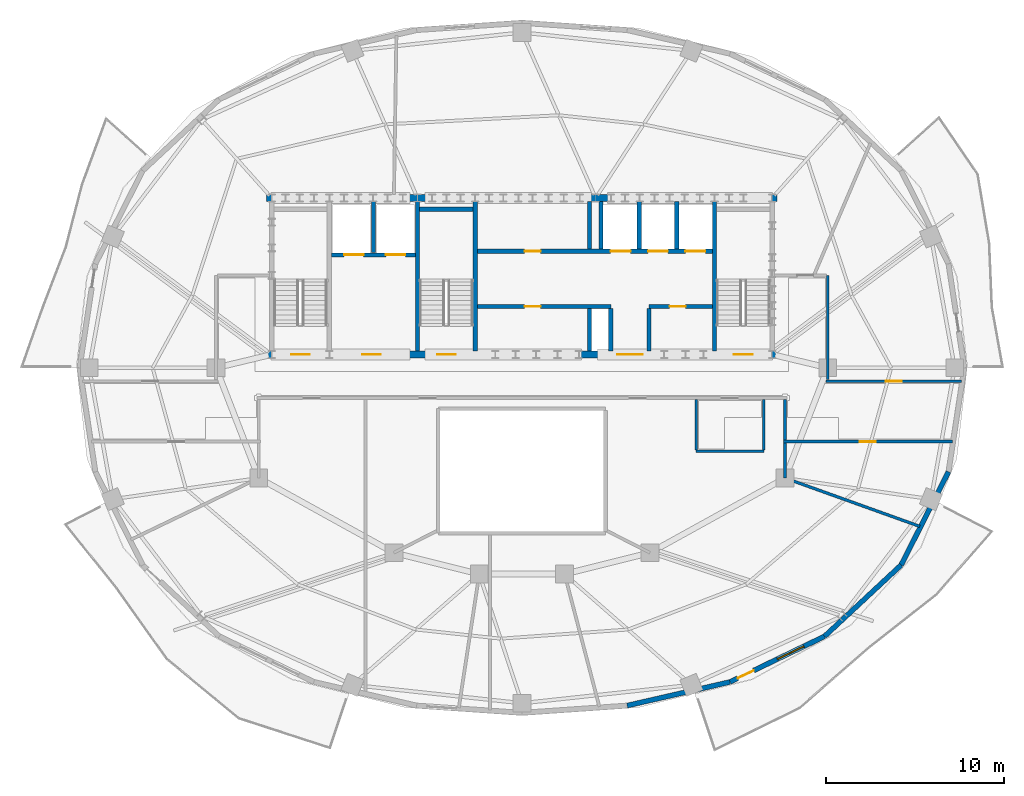
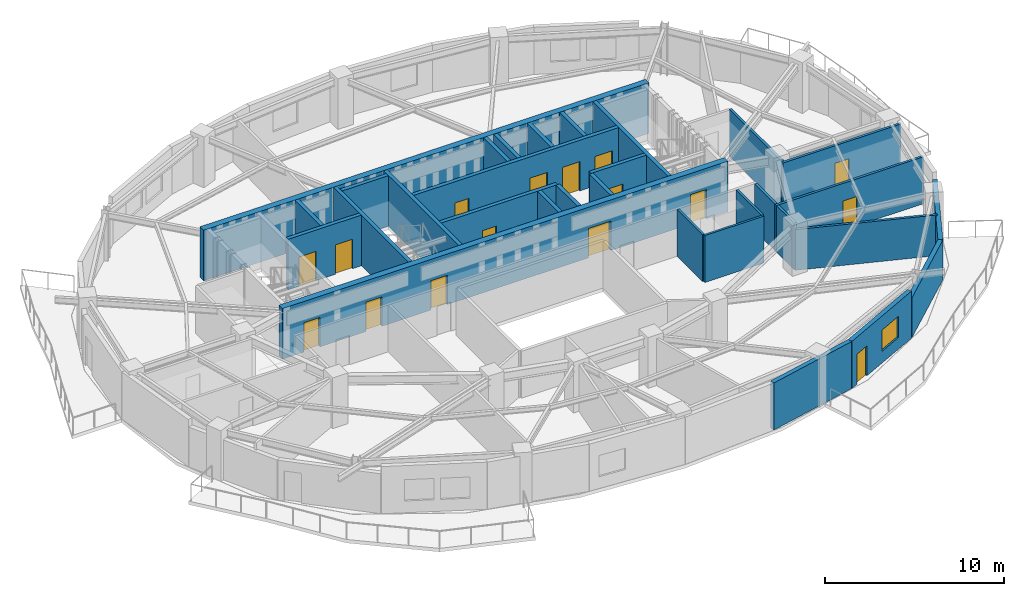
# One storey, part 4 of 9: 31 walls, 16 doors, 1 window, 17 openings.
"""IFC4 building model written with IfcOpenShell, lengths in metres."""

from ifc_helpers import new_model, si_unit, direction, frame, frame_2d, origin, place, context, subcontext, project, spatial, rectangle, extrude, material, layer, layer_set, type_object, element, fill, save


model = new_model("IFC4")

# Units and contexts
model_context = context("Model", 3, precision=1e-05, world=origin(), true_north=direction((0.0, 1.0)))
body_context = subcontext(model_context, "Body", "Model", "MODEL_VIEW")
ifc_project = project(units=[si_unit("LENGTHUNIT", "METRE"), si_unit("AREAUNIT", "SQUARE_METRE"), si_unit("VOLUMEUNIT", "CUBIC_METRE"), si_unit("PLANEANGLEUNIT", "RADIAN"), si_unit("MASSUNIT", "GRAM", prefix="KILO")], contexts=[model_context])

# Site, building, storey
site_placement = place(None, origin())
site = spatial("IfcSite", under=ifc_project, at=site_placement, CompositionType="ELEMENT")
building_placement = place(site_placement, origin())
building = spatial("IfcBuilding", under=site, at=building_placement, Name="Haldorwick Loom Tower", CompositionType="ELEMENT")
storey_placement = place(building_placement, frame((0.0, 0.0, 252.300048828125)))
storey = spatial("IfcBuildingStorey", under=building, at=storey_placement, Name="L68", CompositionType="ELEMENT", Elevation=252.300048828125)

# Wall
ifc_material_1 = material(Name="Pressed Clay Face Brick and Insulated Masonry Backup Assembly", Category="masonry")
ifc_layer_1 = layer(ifc_material_1, 0.280029296875, Name="Pressed Clay Face Brick and Insulated Masonry Backup Assembly", Category="masonry")
ifc_layer_set_1 = layer_set([ifc_layer_1], Name="Pressed Clay Face Brick and Insulated Masonry Backup Assembly")
wall_type_1 = type_object("IfcWallType", Name="ARC-WL-EXT280", PredefinedType="STANDARD", material=ifc_layer_set_1)
wall_1_placement = place(storey_placement, frame((41.91943359375, 7.006103515625, 0.0), z_axis=(0.0, 0.0, 1.0), x_axis=(0.974589984037, 0.223996345987, 0.0)))
element("IfcWall", 1, at=wall_1_placement, inside=storey, type_object=wall_type_1, Name="L68 Brick Pier and Spandrel Wall 20", PredefinedType="STANDARD", context=body_context, shape_type="SweptSolid", body=[
    extrude(rectangle(XDim=5.92919921875, YDim=0.280029296875, at=frame_2d((2.964599609375, 0.0))), origin(), (0.0, 0.0, 1.0), 3.2099609375),
])

# Wall, openings, door, window
wall_2_placement = place(storey_placement, frame((47.697998046875, 8.334228515625, 0.0), z_axis=(0.0, 0.0, 1.0), x_axis=(0.900481907967, 0.434893473651, 0.0)))
wall_2 = element("IfcWall", 2, at=wall_2_placement, inside=storey, type_object=wall_type_1, Name="L68 Brick Pier and Spandrel Wall 21", PredefinedType="STANDARD", context=body_context, shape_type="SweptSolid", body=[
    extrude(rectangle(XDim=5.90966796875, YDim=0.280029296875, at=frame_2d((2.954833984375, 0.0))), origin(), (0.0, 0.0, 1.0), 3.2099609375),
])
opening_1_placement = place(wall_2_placement, frame((0.486083984375, 0.0, 0.0)))
opening_1 = element("IfcOpeningElement", 3, at=opening_1_placement, cuts=wall_2, Name="Opening D-BL10", PredefinedType="OPENING", context=body_context, shape_type="SweptSolid", body=[
    extrude(rectangle(XDim=1.0, YDim=2.0400390625, at=frame_2d((0.5, 1.02001953125))), frame((0.0, 0.14990234375, 0.0), z_axis=(0.0, -1.0, 0.0), x_axis=(1.0, 0.0, 0.0)), (0.0, 0.0, 1.0), 0.300048828125),
])
opening_2_placement = place(wall_2_placement, frame((2.965087890625, 0.0, 0.800048828125)))
opening_2 = element("IfcOpeningElement", 4, at=opening_2_placement, cuts=wall_2, Name="Opening W-01B", PredefinedType="OPENING", context=body_context, shape_type="SweptSolid", body=[
    extrude(rectangle(XDim=1.64990234375, YDim=1.449951171875, at=frame_2d((0.824951171875, 0.72509765625))), frame((0.0, 0.14990234375, 0.0), z_axis=(0.0, -1.0, 0.0), x_axis=(1.0, 0.0, 0.0)), (0.0, 0.0, 1.0), 0.300048828125),
])
ifc_material_2 = material(Name="Thermally Broken Anodized Aluminium Curtain Wall Framing", Category="aluminium")
door_type_1 = type_object("IfcDoorType", Name="ARC-DR-BAL100", OperationType="NOTDEFINED", PredefinedType="DOOR", material=ifc_material_2)
door_1_placement = place(opening_1_placement, origin())
door_1 = element("IfcDoor", 5, at=door_1_placement, inside=storey, type_object=door_type_1, Name="L68 Outdoor Terrace Door SLB-L68-BAL_SE", OperationType="SINGLE_SWING_RIGHT", OverallHeight=2.0400390625, OverallWidth=1.0, PredefinedType="DOOR", context=body_context, shape_type="SweptSolid", body=[
    extrude(rectangle(XDim=1.0, YDim=2.0400390625, at=frame_2d((0.5, 1.02001953125))), frame((0.0, 0.02490234375, 0.0), z_axis=(0.0, -1.0, 0.0), x_axis=(1.0, 0.0, 0.0)), (0.0, 0.0, 1.0), 0.050048828125),
])
fill(opening_1, door_1)
ifc_material_3 = material(Name="Triple-Glazed Low-E Argon Insulated Glazing Unit", Category="glass")
window_type = type_object("IfcWindowType", Name="ARC-WIN-W165", PartitioningType="SINGLE_PANEL", PredefinedType="WINDOW", material=ifc_material_3)
window_placement = place(opening_2_placement, origin())
window = element("IfcWindow", 6, at=window_placement, inside=storey, type_object=window_type, Name="L68 Deep-Set Zone 7A Window 21", OverallHeight=1.449951171875, OverallWidth=1.64990234375, PartitioningType="SINGLE_PANEL", PredefinedType="WINDOW", context=body_context, shape_type="SweptSolid", body=[
    extrude(rectangle(XDim=1.64990234375, YDim=1.449951171875, at=frame_2d((0.824951171875, 0.72509765625))), frame((0.0, 0.030029296875, 0.0), z_axis=(0.0, -1.0, 0.0), x_axis=(1.0, 0.0, 0.0)), (0.0, 0.0, 1.0), 0.06005859375),
])
fill(opening_2, window)

# Walls
wall_3_placement = place(storey_placement, frame((53.01953125, 10.904296875, 0.0), z_axis=(0.0, 0.0, 1.0), x_axis=(0.731924682982, 0.68138554317, 0.0)))
element("IfcWall", 7, at=wall_3_placement, inside=storey, type_object=wall_type_1, Name="L68 Brick Pier and Spandrel Wall 22", PredefinedType="STANDARD", context=body_context, shape_type="SweptSolid", body=[
    extrude(rectangle(XDim=5.87890625, YDim=0.280029296875, at=frame_2d((2.939453125, 0.0))), origin(), (0.0, 0.0, 1.0), 2.718994140625),
])
wall_4_placement = place(storey_placement, frame((57.322509765625, 14.91015625, 0.0), z_axis=(0.0, 0.0, 1.0), x_axis=(0.453100705059, 0.89145933787, 0.0)))
element("IfcWall", 8, at=wall_4_placement, inside=storey, type_object=wall_type_1, Name="L68 Brick Pier and Spandrel Wall 23", PredefinedType="STANDARD", context=body_context, shape_type="SweptSolid", body=[
    extrude(rectangle(XDim=5.879150390625, YDim=0.280029296875, at=frame_2d((2.939453125, 0.0))), origin(), (0.0, 0.0, 1.0), 2.718994140625),
])

# Wall, opening, door
ifc_material_4 = material(Name="Fire-Rated Type X Gypsum Stud Assembly EI 60")
ifc_layer_2 = layer(ifc_material_4, 0.159912109375, Name="Fire-Rated Type X Gypsum Stud Assembly EI 60")
ifc_layer_set_2 = layer_set([ifc_layer_2], Name="Fire-Rated Type X Gypsum Stud Assembly EI 60")
wall_type_2 = type_object("IfcWallType", Name="ARC-WL-FIRE160", PredefinedType="PARTITIONING", material=ifc_layer_set_2)
wall_5_placement = place(storey_placement, frame((50.699951171875, 21.85009765625, 0.0), z_axis=(0.0, 0.0, 1.0), x_axis=(1.0, 0.0, 0.0)))
wall_5 = element("IfcWall", 9, at=wall_5_placement, inside=storey, type_object=wall_type_2, Name="L68 Residential Fire Partition L68-CR-SPE", PredefinedType="PARTITIONING", context=body_context, shape_type="SweptSolid", body=[
    extrude(rectangle(XDim=9.49951171875, YDim=0.159912109375, at=frame_2d((4.749755859375, 0.0))), origin(), (0.0, 0.0, 1.0), 3.195068359375),
])
opening_3_placement = place(wall_5_placement, frame((4.2998046875, 0.0, 0.0)))
opening_3 = element("IfcOpeningElement", 10, at=opening_3_placement, cuts=wall_5, Name="Opening D-FD60A", PredefinedType="OPENING", context=body_context, shape_type="SweptSolid", body=[
    extrude(rectangle(XDim=0.89990234375, YDim=2.0, at=frame_2d((0.449951171875, 1.0))), frame((0.0, 0.08984375, 0.0), z_axis=(0.0, -1.0, 0.0), x_axis=(1.0, 0.0, 0.0)), (0.0, 0.0, 1.0), 0.179931640625),
])
ifc_material_5 = material(Name="Hollow Steel Fire Door Assembly", Category="steel")
door_type_2 = type_object("IfcDoorType", Name="ARC-DR-FD60-90", OperationType="NOTDEFINED", PredefinedType="DOOR", material=ifc_material_5)
door_2_placement = place(opening_3_placement, origin())
door_2 = element("IfcDoor", 11, at=door_2_placement, inside=storey, type_object=door_type_2, Name="L68 L68 Central Residential Corridor to Community Music Hall 2 Door", OperationType="SINGLE_SWING_RIGHT", OverallHeight=2.0, OverallWidth=0.89990234375, PredefinedType="DOOR", context=body_context, shape_type="SweptSolid", body=[
    extrude(rectangle(XDim=0.89990234375, YDim=2.0, at=frame_2d((0.449951171875, 1.0))), frame((0.0, 0.02490234375, 0.0), z_axis=(0.0, -1.0, 0.0), x_axis=(1.0, 0.0, 0.0)), (0.0, 0.0, 1.0), 0.050048828125),
])
fill(opening_3, door_2)

# Wall
wall_6_placement = place(storey_placement, frame((50.800048828125, 21.93310546875, 0.0), z_axis=(0.0, 0.0, 1.0), x_axis=(0.0, 1.0, 0.0)))
element("IfcWall", 12, at=wall_6_placement, inside=storey, type_object=wall_type_2, Name="L68 Residential Fire Partition L68-CR-STE", PredefinedType="PARTITIONING", context=body_context, shape_type="SweptSolid", body=[
    extrude(rectangle(XDim=2.283935546875, YDim=0.159912109375, at=frame_2d((1.14208984375, 0.0))), origin(), (0.0, 0.0, 1.0), 3.195068359375),
])

# Wall, opening, door
wall_7_placement = place(storey_placement, frame((53.10009765625, 25.25, 0.0), z_axis=(0.0, 0.0, 1.0), x_axis=(1.0, 0.0, 0.0)))
wall_7 = element("IfcWall", 13, at=wall_7_placement, inside=storey, type_object=wall_type_2, Name="L68 Residential Fire Partition L68-CR-NEL", PredefinedType="PARTITIONING", context=body_context, shape_type="SweptSolid", body=[
    extrude(rectangle(XDim=7.616943359375, YDim=0.159912109375, at=frame_2d((3.80859375, 0.0))), origin(), (0.0, 0.0, 1.0), 3.195068359375),
])
opening_4_placement = place(wall_7_placement, frame((3.3583984375, 0.0, 0.0)))
opening_4 = element("IfcOpeningElement", 14, at=opening_4_placement, cuts=wall_7, Name="Opening D-FD60A", PredefinedType="OPENING", context=body_context, shape_type="SweptSolid", body=[
    extrude(rectangle(XDim=0.89990234375, YDim=2.0, at=frame_2d((0.449951171875, 1.0))), frame((0.0, 0.08984375, 0.0), z_axis=(0.0, -1.0, 0.0), x_axis=(1.0, 0.0, 0.0)), (0.0, 0.0, 1.0), 0.179931640625),
])
door_3_placement = place(opening_4_placement, frame((0.89990234375, 0.0, 0.0), z_axis=(0.0, 0.0, 1.0), x_axis=(-1.0, 0.0, 0.0)))
door_3 = element("IfcDoor", 15, at=door_3_placement, inside=storey, type_object=door_type_2, Name="L68 Tenant Seminar Meeting Room 3 to L68 Central Residential Corridor Do", OperationType="SINGLE_SWING_LEFT", OverallHeight=2.0, OverallWidth=0.89990234375, PredefinedType="DOOR", context=body_context, shape_type="SweptSolid", body=[
    extrude(rectangle(XDim=0.89990234375, YDim=2.0, at=frame_2d((0.449951171875, 1.0))), frame((0.0, 0.02490234375, 0.0), z_axis=(0.0, -1.0, 0.0), x_axis=(1.0, 0.0, 0.0)), (0.0, 0.0, 1.0), 0.050048828125),
])
fill(opening_4, door_3)

# Walls
wall_8_placement = place(storey_placement, frame((53.199951171875, 25.3330078125, 0.0), z_axis=(0.0, 0.0, 1.0), x_axis=(0.0, 1.0, 0.0)))
element("IfcWall", 16, at=wall_8_placement, inside=storey, type_object=wall_type_2, Name="L68 Residential Fire Partition L68-CR-E0", PredefinedType="PARTITIONING", context=body_context, shape_type="SweptSolid", body=[
    extrude(rectangle(XDim=5.866943359375, YDim=0.159912109375, at=frame_2d((2.93359375, 0.0))), origin(), (0.0, 0.0, 1.0), 3.195068359375),
])
wall_9_placement = place(storey_placement, frame((50.800048828125, 19.800048828125, 0.0), z_axis=(0.0, 0.0, 1.0), x_axis=(0.941291581211, -0.337594666931, 0.0)))
element("IfcWall", 17, at=wall_9_placement, inside=storey, type_object=wall_type_2, Name="L68 Residential Fire Partition L68-ICR-02", PredefinedType="PARTITIONING", context=body_context, shape_type="SweptSolid", body=[
    extrude(rectangle(XDim=8.049072265625, YDim=0.159912109375, at=frame_2d((4.0244140625, 0.0))), origin(), (0.0, 0.0, 1.0), 2.77197265625),
])
wall_10_placement = place(storey_placement, frame((50.800048828125, 21.76708984375, 0.0), z_axis=(0.0, 0.0, 1.0), x_axis=(0.0, -1.0, 0.0)))
element("IfcWall", 18, at=wall_10_placement, inside=storey, type_object=wall_type_2, Name="L68 Residential Fire Partition L68-ICA-01", PredefinedType="PARTITIONING", context=body_context, shape_type="SweptSolid", body=[
    extrude(rectangle(XDim=1.967041015625, YDim=0.159912109375, at=frame_2d((0.9833984375, 0.0))), origin(), (0.0, 0.0, 1.0), 3.195068359375),
])
ifc_layer_3 = layer(ifc_material_4, 0.139892578125, Name="Fire-Rated Type X Gypsum Stud Assembly EI 60")
ifc_layer_set_3 = layer_set([ifc_layer_3], Name="Fire-Rated Type X Gypsum Stud Assembly EI 60")
wall_type_3 = type_object("IfcWallType", Name="ARC-WL-PART140", PredefinedType="PARTITIONING", material=ifc_layer_set_3)
wall_11_placement = place(storey_placement, frame((45.800048828125, 21.300048828125, 0.0), z_axis=(0.0, 0.0, 1.0), x_axis=(1.0, 0.0, 0.0)))
element("IfcWall", 19, at=wall_11_placement, inside=storey, type_object=wall_type_3, Name="L68 Residential Fire Partition L68-CWC-S", PredefinedType="PARTITIONING", context=body_context, shape_type="SweptSolid", body=[
    extrude(rectangle(XDim=3.800048828125, YDim=0.139892578125, at=frame_2d((1.89990234375, 0.0))), origin(), (0.0, 0.0, 1.0), 3.195068359375),
])
for number, where, z_axis, x_axis, name in (
    (20, (45.800048828125, 21.373046875, 0.0), (0.0, 0.0, 1.0), (0.0, 1.0, 0.0), "L68 Residential Fire Partition L68-CWC-W"),
    (21, (49.60009765625, 21.373046875, 0.0), (0.0, 0.0, 1.0), (0.0, 1.0, 0.0), "L68 Residential Fire Partition L68-CWC-E"),
):
    element("IfcWall", number, at=place(storey_placement, frame(where, z_axis=z_axis, x_axis=x_axis)), inside=storey, type_object=wall_type_3, Name=name, PredefinedType="PARTITIONING", context=body_context, shape_type="SweptSolid", body=[
        extrude(rectangle(XDim=2.843994140625, YDim=0.139892578125, at=frame_2d((1.421875, 0.0))), origin(), (0.0, 0.0, 1.0), 3.195068359375),
    ])

# Wall, openings, doors
ifc_material_6 = material(Name="Concrete C50 (50 MPa)", Category="concrete")
ifc_layer_4 = layer(ifc_material_6, 0.39990234375, Name="Concrete C50 (50 MPa)", Category="concrete")
ifc_layer_set_4 = layer_set([ifc_layer_4], Name="Concrete C50 (50 MPa)")
wall_type_4 = type_object("IfcWallType", Name="STR-WL-CORE400", PredefinedType="SHEAR", material=ifc_layer_set_4)
wall_12_placement = place(storey_placement, frame((21.64990234375, 26.75, 0.0), z_axis=(0.0, 0.0, 1.0), x_axis=(1.0, 0.0, 0.0)))
wall_12 = element("IfcWall", 22, at=wall_12_placement, inside=storey, type_object=wall_type_4, Name="L68 Core Shear Wall S", PredefinedType="SHEAR", context=body_context, shape_type="SweptSolid", body=[
    extrude(rectangle(XDim=28.7001953125, YDim=0.39990234375, at=frame_2d((14.35009765625, 0.0))), origin(), (0.0, 0.0, 1.0), 3.449951171875),
])
opening_5_placement = place(wall_12_placement, frame((1.375, 0.0, 0.0)))
opening_5 = element("IfcOpeningElement", 23, at=opening_5_placement, cuts=wall_12, Name="Opening D-FD60", PredefinedType="OPENING", context=body_context, shape_type="SweptSolid", body=[
    extrude(rectangle(XDim=1.050048828125, YDim=2.0, at=frame_2d((0.52490234375, 1.0))), frame((0.0, 0.2099609375, 0.0), z_axis=(0.0, -1.0, 0.0), x_axis=(1.0, 0.0, 0.0)), (0.0, 0.0, 1.0), 0.419921875),
])
opening_6_placement = place(wall_12_placement, frame((5.375, 0.0, 0.0)))
opening_6 = element("IfcOpeningElement", 24, at=opening_6_placement, cuts=wall_12, Name="Opening D-FD60", PredefinedType="OPENING", context=body_context, shape_type="SweptSolid", body=[
    extrude(rectangle(XDim=1.050048828125, YDim=2.0, at=frame_2d((0.52490234375, 1.0))), frame((0.0, 0.2099609375, 0.0), z_axis=(0.0, -1.0, 0.0), x_axis=(1.0, 0.0, 0.0)), (0.0, 0.0, 1.0), 0.419921875),
])
opening_7_placement = place(wall_12_placement, frame((9.574951171875, 0.0, 0.0)))
opening_7 = element("IfcOpeningElement", 25, at=opening_7_placement, cuts=wall_12, Name="Opening D-FD60", PredefinedType="OPENING", context=body_context, shape_type="SweptSolid", body=[
    extrude(rectangle(XDim=1.050048828125, YDim=2.0, at=frame_2d((0.52490234375, 1.0))), frame((0.0, 0.2099609375, 0.0), z_axis=(0.0, -1.0, 0.0), x_axis=(1.0, 0.0, 0.0)), (0.0, 0.0, 1.0), 0.419921875),
])
opening_8_placement = place(wall_12_placement, frame((19.705078125, 0.0, 0.0)))
opening_8 = element("IfcOpeningElement", 26, at=opening_8_placement, cuts=wall_12, Name="Opening D-LB15", PredefinedType="OPENING", context=body_context, shape_type="SweptSolid", body=[
    extrude(rectangle(XDim=1.449951171875, YDim=2.0, at=frame_2d((0.72509765625, 1.0))), frame((0.0, 0.2099609375, 0.0), z_axis=(0.0, -1.0, 0.0), x_axis=(1.0, 0.0, 0.0)), (0.0, 0.0, 1.0), 0.419921875),
])
opening_9_placement = place(wall_12_placement, frame((26.27490234375, 0.0, 0.0)))
opening_9 = element("IfcOpeningElement", 27, at=opening_9_placement, cuts=wall_12, Name="Opening D-FD60", PredefinedType="OPENING", context=body_context, shape_type="SweptSolid", body=[
    extrude(rectangle(XDim=1.050048828125, YDim=2.0, at=frame_2d((0.52490234375, 1.0))), frame((0.0, 0.2099609375, 0.0), z_axis=(0.0, -1.0, 0.0), x_axis=(1.0, 0.0, 0.0)), (0.0, 0.0, 1.0), 0.419921875),
])
door_type_3 = type_object("IfcDoorType", Name="ARC-DR-FD60", OperationType="NOTDEFINED", PredefinedType="DOOR", material=ifc_material_5)
door_4_placement = place(opening_5_placement, origin())
door_4 = element("IfcDoor", 28, at=door_4_placement, inside=storey, type_object=door_type_3, Name="L68 Exit Stair ST-01 Fire Door", OperationType="SINGLE_SWING_RIGHT", OverallHeight=2.0, OverallWidth=1.050048828125, PredefinedType="DOOR", context=body_context, shape_type="SweptSolid", body=[
    extrude(rectangle(XDim=1.050048828125, YDim=2.0, at=frame_2d((0.52490234375, 1.0))), frame((0.0, 0.02490234375, 0.0), z_axis=(0.0, -1.0, 0.0), x_axis=(1.0, 0.0, 0.0)), (0.0, 0.0, 1.0), 0.050048828125),
])
fill(opening_5, door_4)
door_5_placement = place(opening_6_placement, origin())
door_5 = element("IfcDoor", 29, at=door_5_placement, inside=storey, type_object=door_type_3, Name="L68 Firefighting Lift Lobby Fire Door", OperationType="SINGLE_SWING_LEFT", OverallHeight=2.0, OverallWidth=1.050048828125, PredefinedType="DOOR", context=body_context, shape_type="SweptSolid", body=[
    extrude(rectangle(XDim=1.050048828125, YDim=2.0, at=frame_2d((0.52490234375, 1.0))), frame((0.0, 0.02490234375, 0.0), z_axis=(0.0, -1.0, 0.0), x_axis=(1.0, 0.0, 0.0)), (0.0, 0.0, 1.0), 0.050048828125),
])
fill(opening_6, door_5)
door_6_placement = place(opening_7_placement, origin())
door_6 = element("IfcDoor", 30, at=door_6_placement, inside=storey, type_object=door_type_3, Name="L68 Exit Stair ST-03 Fire Door", OperationType="SINGLE_SWING_LEFT", OverallHeight=2.0, OverallWidth=1.050048828125, PredefinedType="DOOR", context=body_context, shape_type="SweptSolid", body=[
    extrude(rectangle(XDim=1.050048828125, YDim=2.0, at=frame_2d((0.52490234375, 1.0))), frame((0.0, 0.02490234375, 0.0), z_axis=(0.0, -1.0, 0.0), x_axis=(1.0, 0.0, 0.0)), (0.0, 0.0, 1.0), 0.050048828125),
])
fill(opening_7, door_6)
door_7_placement = place(opening_9_placement, origin())
door_7 = element("IfcDoor", 31, at=door_7_placement, inside=storey, type_object=door_type_3, Name="L68 Exit Stair ST-02 Fire Door", OperationType="SINGLE_SWING_LEFT", OverallHeight=2.0, OverallWidth=1.050048828125, PredefinedType="DOOR", context=body_context, shape_type="SweptSolid", body=[
    extrude(rectangle(XDim=1.050048828125, YDim=2.0, at=frame_2d((0.52490234375, 1.0))), frame((0.0, 0.02490234375, 0.0), z_axis=(0.0, -1.0, 0.0), x_axis=(1.0, 0.0, 0.0)), (0.0, 0.0, 1.0), 0.050048828125),
])
fill(opening_9, door_7)
ifc_material_7 = material(Name="Thermally Broken Anodized Aluminium and Tempered Glass", Category="aluminium")
door_type_4 = type_object("IfcDoorType", Name="ARC-DR-LOB150", OperationType="NOTDEFINED", PredefinedType="DOOR", material=ifc_material_7)
door_8_placement = place(opening_8_placement, frame((1.449951171875, 0.0, 0.0), z_axis=(0.0, 0.0, 1.0), x_axis=(-1.0, 0.0, 0.0)))
door_8 = element("IfcDoor", 32, at=door_8_placement, inside=storey, type_object=door_type_4, Name="L68 Passenger Lift Lobby Fire Door", OperationType="DOUBLE_DOOR_SINGLE_SWING", OverallHeight=2.0, OverallWidth=1.449951171875, PredefinedType="DOOR", context=body_context, shape_type="SweptSolid", body=[
    extrude(rectangle(XDim=1.449951171875, YDim=2.0, at=frame_2d((0.72509765625, 1.0))), frame((0.0, 0.02490234375, 0.0), z_axis=(0.0, -1.0, 0.0), x_axis=(1.0, 0.0, 0.0)), (0.0, 0.0, 1.0), 0.050048828125),
])
fill(opening_8, door_8)

# Walls
wall_13_placement = place(storey_placement, frame((50.35009765625, 35.550048828125, 0.0), z_axis=(0.0, 0.0, 1.0), x_axis=(-1.0, 0.0, 0.0)))
element("IfcWall", 33, at=wall_13_placement, inside=storey, type_object=wall_type_4, Name="L68 Core Shear Wall N", PredefinedType="SHEAR", context=body_context, shape_type="SweptSolid", body=[
    extrude(rectangle(XDim=28.7001953125, YDim=0.39990234375, at=frame_2d((14.35009765625, 0.0))), origin(), (0.0, 0.0, 1.0), 3.449951171875),
])
ifc_layer_5 = layer(ifc_material_6, 0.239990234375, Name="Concrete C50 (50 MPa)", Category="concrete")
ifc_layer_set_5 = layer_set([ifc_layer_5], Name="Concrete C50 (50 MPa)")
wall_type_5 = type_object("IfcWallType", Name="STR-WL-SHAFT240", PredefinedType="SHEAR", material=ifc_layer_set_5)
for number, where, z_axis, x_axis, name in (
    (34, (30.1298828125, 26.952880859375, 0.0), (0.0, 0.0, 1.0), (0.0, 1.0, 0.0), "L68 Core Shear Wall 2"),
    (35, (33.3701171875, 26.952880859375, 0.0), (0.0, 0.0, 1.0), (0.0, 1.0, 0.0), "L68 Core Shear Wall 3"),
):
    element("IfcWall", number, at=place(storey_placement, frame(where, z_axis=z_axis, x_axis=x_axis)), inside=storey, type_object=wall_type_5, Name=name, PredefinedType="SHEAR", context=body_context, shape_type="SweptSolid", body=[
        extrude(rectangle(XDim=8.39404296875, YDim=0.239990234375, at=frame_2d((4.197021484375, 0.0))), origin(), (0.0, 0.0, 1.0), 3.449951171875),
    ])
wall_14_placement = place(storey_placement, frame((30.2529296875, 34.919921875, 0.0), z_axis=(0.0, 0.0, 1.0), x_axis=(1.0, 0.0, 0.0)))
element("IfcWall", 36, at=wall_14_placement, inside=storey, type_object=wall_type_5, Name="L68 Core Shear Wall 3N", PredefinedType="SHEAR", context=body_context, shape_type="SweptSolid", body=[
    extrude(rectangle(XDim=2.994140625, YDim=0.239990234375, at=frame_2d((1.4970703125, 0.0))), origin(), (0.0, 0.0, 1.0), 3.449951171875),
])
wall_15_placement = place(storey_placement, frame((46.830078125, 26.952880859375, 0.0), z_axis=(0.0, 0.0, 1.0), x_axis=(0.0, 1.0, 0.0)))
element("IfcWall", 37, at=wall_15_placement, inside=storey, type_object=wall_type_5, Name="L68 Core Shear Wall 4", PredefinedType="SHEAR", context=body_context, shape_type="SweptSolid", body=[
    extrude(rectangle(XDim=8.39404296875, YDim=0.239990234375, at=frame_2d((4.197021484375, 0.0))), origin(), (0.0, 0.0, 1.0), 3.449951171875),
])

# Wall, openings, doors
wall_16_placement = place(storey_placement, frame((25.29296875, 32.35009765625, 0.0), z_axis=(0.0, 0.0, 1.0), x_axis=(1.0, 0.0, 0.0)))
wall_16 = element("IfcWall", 38, at=wall_16_placement, inside=storey, type_object=wall_type_5, Name="L68 Core Shear Wall FF", PredefinedType="SHEAR", context=body_context, shape_type="SweptSolid", body=[
    extrude(rectangle(XDim=4.714111328125, YDim=0.239990234375, at=frame_2d((2.35693359375, 0.0))), origin(), (0.0, 0.0, 1.0), 3.449951171875),
])
opening_10_placement = place(wall_16_placement, frame((0.70703125, 0.0, 0.0)))
opening_10 = element("IfcOpeningElement", 39, at=opening_10_placement, cuts=wall_16, Name="Opening LD-FF1", PredefinedType="OPENING", context=body_context, shape_type="SweptSolid", body=[
    extrude(rectangle(XDim=1.10009765625, YDim=2.0, at=frame_2d((0.550048828125, 1.0))), frame((0.0, 0.1298828125, 0.0), z_axis=(0.0, -1.0, 0.0), x_axis=(1.0, 0.0, 0.0)), (0.0, 0.0, 1.0), 0.260009765625),
])
opening_11_placement = place(wall_16_placement, frame((3.056884765625, 0.0, 0.0)))
opening_11 = element("IfcOpeningElement", 40, at=opening_11_placement, cuts=wall_16, Name="Opening LD-FF2", PredefinedType="OPENING", context=body_context, shape_type="SweptSolid", body=[
    extrude(rectangle(XDim=1.10009765625, YDim=2.0, at=frame_2d((0.550048828125, 1.0))), frame((0.0, 0.1298828125, 0.0), z_axis=(0.0, -1.0, 0.0), x_axis=(1.0, 0.0, 0.0)), (0.0, 0.0, 1.0), 0.260009765625),
])
door_type_5 = type_object("IfcDoorType", Name="ARC-DR-LD-FF", OperationType="NOTDEFINED", PredefinedType="USERDEFINED", material=ifc_material_5)
door_9_placement = place(opening_10_placement, origin())
door_9 = element("IfcDoor", 41, at=door_9_placement, inside=storey, type_object=door_type_5, Name="L68 Lift LF-FF1 Sliding Landing Door", ObjectType="LANDING DOOR", OperationType="DOUBLE_DOOR_SLIDING", OverallHeight=2.0, OverallWidth=1.10009765625, PredefinedType="USERDEFINED", context=body_context, shape_type="SweptSolid", body=[
    extrude(rectangle(XDim=1.10009765625, YDim=2.0, at=frame_2d((0.550048828125, 1.0))), frame((0.0, 0.02490234375, 0.0), z_axis=(0.0, -1.0, 0.0), x_axis=(1.0, 0.0, 0.0)), (0.0, 0.0, 1.0), 0.050048828125),
])
fill(opening_10, door_9)
door_10_placement = place(opening_11_placement, origin())
door_10 = element("IfcDoor", 42, at=door_10_placement, inside=storey, type_object=door_type_5, Name="L68 Lift LF-FF2 Sliding Landing Door", ObjectType="LANDING DOOR", OperationType="DOUBLE_DOOR_SLIDING", OverallHeight=2.0, OverallWidth=1.10009765625, PredefinedType="USERDEFINED", context=body_context, shape_type="SweptSolid", body=[
    extrude(rectangle(XDim=1.10009765625, YDim=2.0, at=frame_2d((0.550048828125, 1.0))), frame((0.0, 0.02490234375, 0.0), z_axis=(0.0, -1.0, 0.0), x_axis=(1.0, 0.0, 0.0)), (0.0, 0.0, 1.0), 0.050048828125),
])
fill(opening_11, door_10)

# Wall
wall_17_placement = place(storey_placement, frame((27.64990234375, 32.472900390625, 0.0), z_axis=(0.0, 0.0, 1.0), x_axis=(0.0, 1.0, 0.0)))
element("IfcWall", 43, at=wall_17_placement, inside=storey, type_object=wall_type_5, Name="L68 Core Shear Wall FFD", PredefinedType="SHEAR", context=body_context, shape_type="SweptSolid", body=[
    extrude(rectangle(XDim=2.8740234375, YDim=0.239990234375, at=frame_2d((1.43701171875, 0.0))), origin(), (0.0, 0.0, 1.0), 3.449951171875),
])

# Wall, openings, doors
wall_18_placement = place(storey_placement, frame((33.492919921875, 32.550048828125, 0.0), z_axis=(0.0, 0.0, 1.0), x_axis=(1.0, 0.0, 0.0)))
wall_18 = element("IfcWall", 44, at=wall_18_placement, inside=storey, type_object=wall_type_5, Name="L68 Core Shear Wall LN", PredefinedType="SHEAR", context=body_context, shape_type="SweptSolid", body=[
    extrude(rectangle(XDim=13.214111328125, YDim=0.239990234375, at=frame_2d((6.60693359375, 0.0))), origin(), (0.0, 0.0, 1.0), 3.449951171875),
])
opening_12_placement = place(wall_18_placement, frame((2.656982421875, 0.0, 0.0)))
opening_12 = element("IfcOpeningElement", 45, at=opening_12_placement, cuts=wall_18, Name="Opening D-FD60A", PredefinedType="OPENING", context=body_context, shape_type="SweptSolid", body=[
    extrude(rectangle(XDim=0.89990234375, YDim=2.0, at=frame_2d((0.449951171875, 1.0))), frame((0.0, 0.1298828125, 0.0), z_axis=(0.0, -1.0, 0.0), x_axis=(1.0, 0.0, 0.0)), (0.0, 0.0, 1.0), 0.260009765625),
])
opening_13_placement = place(wall_18_placement, frame((7.4970703125, 0.0, 0.0)))
opening_13 = element("IfcOpeningElement", 46, at=opening_13_placement, cuts=wall_18, Name="Opening LD-H1", PredefinedType="OPENING", context=body_context, shape_type="SweptSolid", body=[
    extrude(rectangle(XDim=1.1201171875, YDim=2.0, at=frame_2d((0.56005859375, 1.0))), frame((0.0, 0.1298828125, 0.0), z_axis=(0.0, -1.0, 0.0), x_axis=(1.0, 0.0, 0.0)), (0.0, 0.0, 1.0), 0.260009765625),
])
opening_14_placement = place(wall_18_placement, frame((9.596923828125, 0.0, 0.0)))
opening_14 = element("IfcOpeningElement", 47, at=opening_14_placement, cuts=wall_18, Name="Opening LD-H2", PredefinedType="OPENING", context=body_context, shape_type="SweptSolid", body=[
    extrude(rectangle(XDim=1.1201171875, YDim=2.0, at=frame_2d((0.56005859375, 1.0))), frame((0.0, 0.1298828125, 0.0), z_axis=(0.0, -1.0, 0.0), x_axis=(1.0, 0.0, 0.0)), (0.0, 0.0, 1.0), 0.260009765625),
])
opening_15_placement = place(wall_18_placement, frame((11.697021484375, 0.0, 0.0)))
opening_15 = element("IfcOpeningElement", 48, at=opening_15_placement, cuts=wall_18, Name="Opening LD-H3", PredefinedType="OPENING", context=body_context, shape_type="SweptSolid", body=[
    extrude(rectangle(XDim=1.1201171875, YDim=2.0, at=frame_2d((0.56005859375, 1.0))), frame((0.0, 0.1298828125, 0.0), z_axis=(0.0, -1.0, 0.0), x_axis=(1.0, 0.0, 0.0)), (0.0, 0.0, 1.0), 0.260009765625),
])
door_11_placement = place(opening_12_placement, frame((0.89990234375, 0.0, 0.0), z_axis=(0.0, 0.0, 1.0), x_axis=(-1.0, 0.0, 0.0)))
door_11 = element("IfcDoor", 49, at=door_11_placement, inside=storey, type_object=door_type_2, Name="L68 Housekeeping Store Door", OperationType="SINGLE_SWING_LEFT", OverallHeight=2.0, OverallWidth=0.89990234375, PredefinedType="DOOR", context=body_context, shape_type="SweptSolid", body=[
    extrude(rectangle(XDim=0.89990234375, YDim=2.0, at=frame_2d((0.449951171875, 1.0))), frame((0.0, 0.02490234375, 0.0), z_axis=(0.0, -1.0, 0.0), x_axis=(1.0, 0.0, 0.0)), (0.0, 0.0, 1.0), 0.050048828125),
])
fill(opening_12, door_11)
door_type_6 = type_object("IfcDoorType", Name="ARC-DR-LD-PAX", OperationType="NOTDEFINED", PredefinedType="USERDEFINED", material=ifc_material_5)
door_12_placement = place(opening_13_placement, origin())
door_12 = element("IfcDoor", 50, at=door_12_placement, inside=storey, type_object=door_type_6, Name="L68 Lift LF-H1 Sliding Landing Door", ObjectType="LANDING DOOR", OperationType="DOUBLE_DOOR_SLIDING", OverallHeight=2.0, OverallWidth=1.1201171875, PredefinedType="USERDEFINED", context=body_context, shape_type="SweptSolid", body=[
    extrude(rectangle(XDim=1.1201171875, YDim=2.0, at=frame_2d((0.56005859375, 1.0))), frame((0.0, 0.02490234375, 0.0), z_axis=(0.0, -1.0, 0.0), x_axis=(1.0, 0.0, 0.0)), (0.0, 0.0, 1.0), 0.050048828125),
])
fill(opening_13, door_12)
door_13_placement = place(opening_14_placement, origin())
door_13 = element("IfcDoor", 51, at=door_13_placement, inside=storey, type_object=door_type_6, Name="L68 Lift LF-H2 Sliding Landing Door", ObjectType="LANDING DOOR", OperationType="DOUBLE_DOOR_SLIDING", OverallHeight=2.0, OverallWidth=1.1201171875, PredefinedType="USERDEFINED", context=body_context, shape_type="SweptSolid", body=[
    extrude(rectangle(XDim=1.1201171875, YDim=2.0, at=frame_2d((0.56005859375, 1.0))), frame((0.0, 0.02490234375, 0.0), z_axis=(0.0, -1.0, 0.0), x_axis=(1.0, 0.0, 0.0)), (0.0, 0.0, 1.0), 0.050048828125),
])
fill(opening_14, door_13)
door_14_placement = place(opening_15_placement, origin())
door_14 = element("IfcDoor", 52, at=door_14_placement, inside=storey, type_object=door_type_6, Name="L68 Lift LF-H3 Sliding Landing Door", ObjectType="LANDING DOOR", OperationType="DOUBLE_DOOR_SLIDING", OverallHeight=2.0, OverallWidth=1.1201171875, PredefinedType="USERDEFINED", context=body_context, shape_type="SweptSolid", body=[
    extrude(rectangle(XDim=1.1201171875, YDim=2.0, at=frame_2d((0.56005859375, 1.0))), frame((0.0, 0.02490234375, 0.0), z_axis=(0.0, -1.0, 0.0), x_axis=(1.0, 0.0, 0.0)), (0.0, 0.0, 1.0), 0.050048828125),
])
fill(opening_15, door_14)

# Wall, opening, door
wall_19_placement = place(storey_placement, frame((33.492919921875, 29.449951171875, 0.0), z_axis=(0.0, 0.0, 1.0), x_axis=(1.0, 0.0, 0.0)))
wall_19 = element("IfcWall", 53, at=wall_19_placement, inside=storey, type_object=wall_type_5, Name="L68 Core Shear Wall LS1", PredefinedType="SHEAR", context=body_context, shape_type="SweptSolid", body=[
    extrude(rectangle(XDim=7.507080078125, YDim=0.239990234375, at=frame_2d((3.75341796875, 0.0))), origin(), (0.0, 0.0, 1.0), 3.449951171875),
])
opening_16_placement = place(wall_19_placement, frame((2.656982421875, 0.0, 0.0)))
opening_16 = element("IfcOpeningElement", 54, at=opening_16_placement, cuts=wall_19, Name="Opening D-FD60A", PredefinedType="OPENING", context=body_context, shape_type="SweptSolid", body=[
    extrude(rectangle(XDim=0.89990234375, YDim=2.0, at=frame_2d((0.449951171875, 1.0))), frame((0.0, 0.1298828125, 0.0), z_axis=(0.0, -1.0, 0.0), x_axis=(1.0, 0.0, 0.0)), (0.0, 0.0, 1.0), 0.260009765625),
])
door_15_placement = place(opening_16_placement, origin())
door_15 = element("IfcDoor", 55, at=door_15_placement, inside=storey, type_object=door_type_2, Name="L68 Switch Room Door", OperationType="SINGLE_SWING_RIGHT", OverallHeight=2.0, OverallWidth=0.89990234375, PredefinedType="DOOR", context=body_context, shape_type="SweptSolid", body=[
    extrude(rectangle(XDim=0.89990234375, YDim=2.0, at=frame_2d((0.449951171875, 1.0))), frame((0.0, 0.02490234375, 0.0), z_axis=(0.0, -1.0, 0.0), x_axis=(1.0, 0.0, 0.0)), (0.0, 0.0, 1.0), 0.050048828125),
])
fill(opening_16, door_15)

wall_20_placement = place(storey_placement, frame((43.14990234375, 29.449951171875, 0.0), z_axis=(0.0, 0.0, 1.0), x_axis=(1.0, 0.0, 0.0)))
wall_20 = element("IfcWall", 56, at=wall_20_placement, inside=storey, type_object=wall_type_5, Name="L68 Core Shear Wall LS2", PredefinedType="SHEAR", context=body_context, shape_type="SweptSolid", body=[
    extrude(rectangle(XDim=3.55712890625, YDim=0.239990234375, at=frame_2d((1.778564453125, 0.0))), origin(), (0.0, 0.0, 1.0), 3.449951171875),
])
opening_17_placement = place(wall_20_placement, frame((1.14990234375, 0.0, 0.0)))
opening_17 = element("IfcOpeningElement", 57, at=opening_17_placement, cuts=wall_20, Name="Opening D-FD60A", PredefinedType="OPENING", context=body_context, shape_type="SweptSolid", body=[
    extrude(rectangle(XDim=0.89990234375, YDim=2.0, at=frame_2d((0.449951171875, 1.0))), frame((0.0, 0.1298828125, 0.0), z_axis=(0.0, -1.0, 0.0), x_axis=(1.0, 0.0, 0.0)), (0.0, 0.0, 1.0), 0.260009765625),
])
door_16_placement = place(opening_17_placement, origin())
door_16 = element("IfcDoor", 58, at=door_16_placement, inside=storey, type_object=door_type_2, Name="L68 Electrical Metering Door", OperationType="SINGLE_SWING_LEFT", OverallHeight=2.0, OverallWidth=0.89990234375, PredefinedType="DOOR", context=body_context, shape_type="SweptSolid", body=[
    extrude(rectangle(XDim=0.89990234375, YDim=2.0, at=frame_2d((0.449951171875, 1.0))), frame((0.0, 0.02490234375, 0.0), z_axis=(0.0, -1.0, 0.0), x_axis=(1.0, 0.0, 0.0)), (0.0, 0.0, 1.0), 0.050048828125),
])
fill(opening_17, door_16)

# Walls
for number, where, z_axis, x_axis, name in (
    (59, (41.0, 26.952880859375, 0.0), (0.0, 0.0, 1.0), (0.0, 1.0, 0.0), "L68 Core Shear Wall THW"),
    (60, (43.14990234375, 26.952880859375, 0.0), (0.0, 0.0, 1.0), (0.0, 1.0, 0.0), "L68 Core Shear Wall THE"),
):
    element("IfcWall", number, at=place(storey_placement, frame(where, z_axis=z_axis, x_axis=x_axis)), inside=storey, type_object=wall_type_5, Name=name, PredefinedType="SHEAR", context=body_context, shape_type="SweptSolid", body=[
        extrude(rectangle(XDim=2.3740234375, YDim=0.239990234375, at=frame_2d((1.18701171875, 0.0))), origin(), (0.0, 0.0, 1.0), 3.449951171875),
    ])
for number, where, z_axis, x_axis, name in (
    (61, (39.800048828125, 32.673095703125, 0.0), (0.0, 0.0, 1.0), (0.0, 1.0, 0.0), "L68 Core Shear Wall LHW"),
    (62, (40.449951171875, 32.673095703125, 0.0), (0.0, 0.0, 1.0), (0.0, 1.0, 0.0), "L68 Core Shear Wall H0"),
    (63, (42.60009765625, 32.673095703125, 0.0), (0.0, 0.0, 1.0), (0.0, 1.0, 0.0), "L68 Core Shear Wall H1"),
    (64, (44.699951171875, 32.673095703125, 0.0), (0.0, 0.0, 1.0), (0.0, 1.0, 0.0), "L68 Core Shear Wall H2"),
):
    element("IfcWall", number, at=place(storey_placement, frame(where, z_axis=z_axis, x_axis=x_axis)), inside=storey, type_object=wall_type_5, Name=name, PredefinedType="SHEAR", context=body_context, shape_type="SweptSolid", body=[
        extrude(rectangle(XDim=2.673828125, YDim=0.239990234375, at=frame_2d((1.3369140625, 0.0))), origin(), (0.0, 0.0, 1.0), 3.449951171875),
    ])
wall_21_placement = place(storey_placement, frame((39.800048828125, 26.952880859375, 0.0), z_axis=(0.0, 0.0, 1.0), x_axis=(0.0, 1.0, 0.0)))
element("IfcWall", 65, at=wall_21_placement, inside=storey, type_object=wall_type_5, Name="L68 Core Shear Wall MRW", PredefinedType="SHEAR", context=body_context, shape_type="SweptSolid", body=[
    extrude(rectangle(XDim=2.3740234375, YDim=0.239990234375, at=frame_2d((1.18701171875, 0.0))), origin(), (0.0, 0.0, 1.0), 3.449951171875),
])

save(model, "model.ifc")
